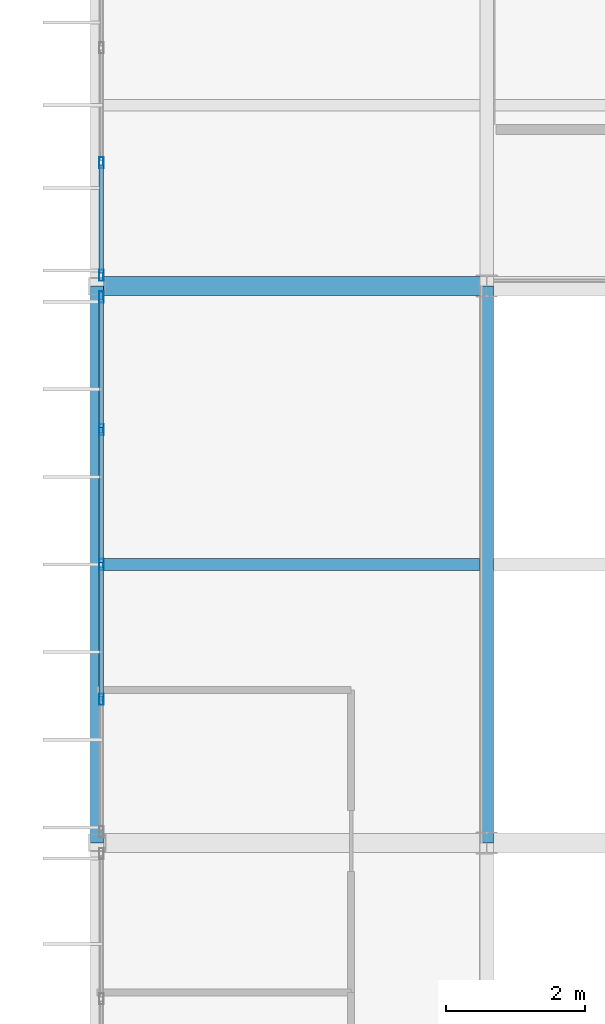
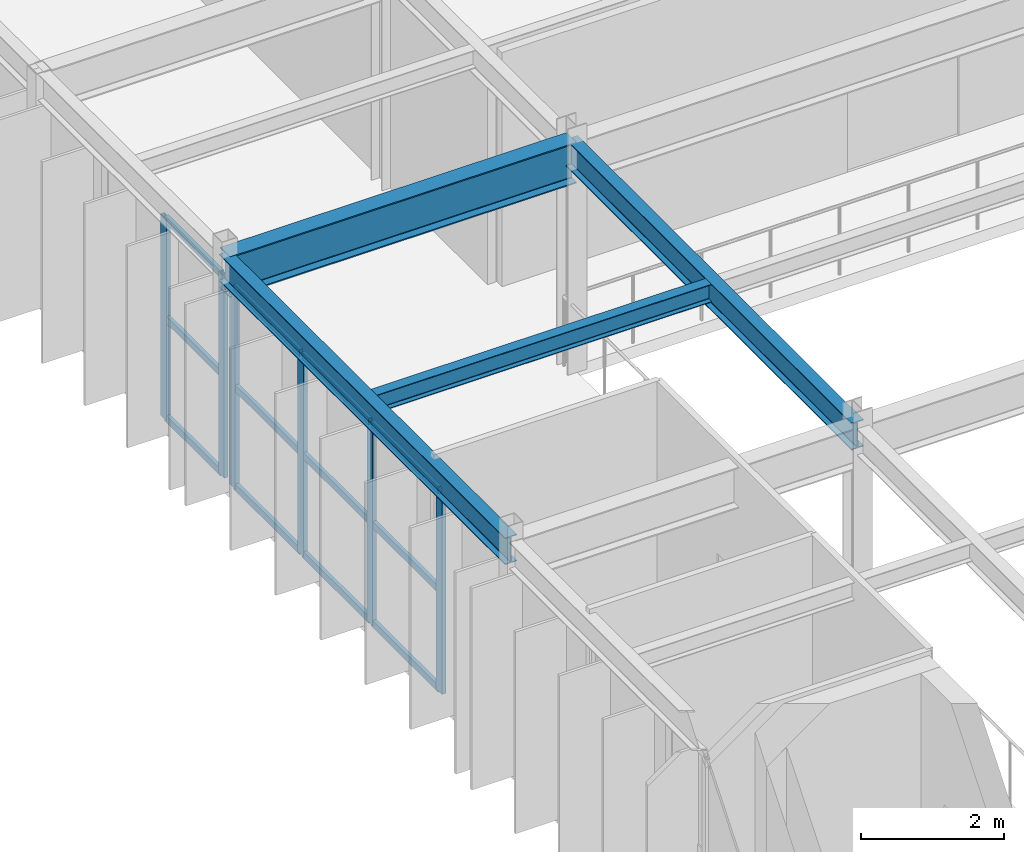
# One storey, part 44 of 157: 18 members, 4 beams, 2 elements without a shape of their own.
"""IFC4 building model written with IfcOpenShell, lengths in metres."""

from ifc_helpers import new_model, si_unit, direction, frame, origin, origin_2d, place, context, subcontext, project, spatial, hollow_rectangle, i_section, extrude, material, material_profile, profile_set, type_object, element, aggregate, save


model = new_model("IFC4")

# Units and contexts
model_context = context("Model", 3, precision=1e-05, world=origin(), true_north=direction((0.0, 1.0)))
body_context = subcontext(model_context, "Body", "Model", "MODEL_VIEW")
ifc_project = project(units=[si_unit("LENGTHUNIT", "METRE"), si_unit("AREAUNIT", "SQUARE_METRE"), si_unit("VOLUMEUNIT", "CUBIC_METRE"), si_unit("PLANEANGLEUNIT", "RADIAN"), si_unit("MASSUNIT", "GRAM", prefix="KILO")], contexts=[model_context])

# Site, building, storey
site_placement = place(None, origin())
site = spatial("IfcSite", under=ifc_project, at=site_placement, CompositionType="ELEMENT")
building_placement = place(site_placement, origin())
building = spatial("IfcBuilding", under=site, at=building_placement, Name="Karori Crest Natural Sciences Institute", CompositionType="ELEMENT")
storey_placement = place(building_placement, frame((0.0, 0.0, 13.300048828125)))
storey = spatial("IfcBuildingStorey", under=building, at=storey_placement, Name="L03", CompositionType="ELEMENT", Elevation=13.300048828125)

# Beams
ifc_material_1 = material(Name="Structural steel AS/NZS 3679.1 Grade 350", Category="steel")
ifc_material_profile_1 = material_profile(ifc_material_1, i_section(OverallWidth=0.27490234375, OverallDepth=0.699951171875, WebThickness=0.010009765625, FlangeThickness=0.02001953125, FilletRadius=0.013916015625, at=origin_2d()), Name="700WB150")
ifc_profile_set_1 = profile_set([ifc_material_profile_1], Name="Structural steel AS/NZS 3679.1 Grade 350")
beam_type_1 = type_object("IfcBeamType", Name="BT-03", PredefinedType="BEAM", material=ifc_profile_set_1)
beam_1_placement = place(storey_placement, frame((1.800048828125, 55.0, 3.570068359375), z_axis=(1.0, 0.0, 0.0), x_axis=(0.0, 1.0, 0.0)))
element("IfcBeam", 1, at=beam_1_placement, inside=storey, type_object=beam_type_1, Name="Beam B-1149", PredefinedType="BEAM", context=body_context, shape_type="SweptSolid", body=[
    extrude(i_section(OverallWidth=0.27490234375, OverallDepth=0.699951171875, WebThickness=0.010009765625, FlangeThickness=0.02001953125, FilletRadius=0.013916015625, at=origin_2d()), origin(), (0.0, 0.0, 1.0), 5.599853515625),
])
ifc_material_profile_2 = material_profile(ifc_material_1, i_section(OverallWidth=0.19091796875, OverallDepth=0.4599609375, WebThickness=0.010009765625, FlangeThickness=0.01611328125, FilletRadius=0.010986328125, at=origin_2d()), Name="460UB82.1")
ifc_profile_set_2 = profile_set([ifc_material_profile_2], Name="Structural steel AS/NZS 3679.1 Grade 350")
beam_type_2 = type_object("IfcBeamType", Name="BT-06", PredefinedType="BEAM", material=ifc_profile_set_2)
beam_2_placement = place(storey_placement, frame((7.39990234375, 47.0, 3.68994140625), z_axis=(0.0, 1.0, 0.0), x_axis=(-1.0, 0.0, 0.0)))
element("IfcBeam", 2, at=beam_2_placement, inside=storey, type_object=beam_type_2, Name="Beam B-1171", PredefinedType="BEAM", context=body_context, shape_type="SweptSolid", body=[
    extrude(i_section(OverallWidth=0.19091796875, OverallDepth=0.4599609375, WebThickness=0.010009765625, FlangeThickness=0.01611328125, FilletRadius=0.010986328125, at=origin_2d()), origin(), (0.0, 0.0, 1.0), 8.0),
])
ifc_material_profile_3 = material_profile(ifc_material_1, i_section(OverallWidth=0.19091796875, OverallDepth=0.4599609375, WebThickness=0.010009765625, FlangeThickness=0.01611328125, FilletRadius=0.010986328125, at=origin_2d()), Name="460UB82.1")
ifc_profile_set_3 = profile_set([ifc_material_profile_3], Name="Structural steel AS/NZS 3679.1 Grade 350")
beam_type_3 = type_object("IfcBeamType", Name="BT-06-EL", PredefinedType="BEAM", material=ifc_profile_set_3)
beam_3_placement = place(storey_placement, frame((1.800048828125, 47.0, 3.68994140625), z_axis=(0.0, 1.0, 0.0), x_axis=(-1.0, 0.0, 0.0)))
element("IfcBeam", 3, at=beam_3_placement, inside=storey, type_object=beam_type_3, Name="Beam B-1164", PredefinedType="BEAM", context=body_context, shape_type="SweptSolid", body=[
    extrude(i_section(OverallWidth=0.19091796875, OverallDepth=0.4599609375, WebThickness=0.010009765625, FlangeThickness=0.01611328125, FilletRadius=0.010986328125, at=origin_2d()), origin(), (0.0, 0.0, 1.0), 8.0),
])
ifc_material_profile_4 = material_profile(ifc_material_1, i_section(OverallWidth=0.166015625, OverallDepth=0.306884765625, WebThickness=0.006591796875, FlangeThickness=0.01171875, FilletRadius=0.010986328125, at=origin_2d()), Name="310UB46.2")
ifc_profile_set_4 = profile_set([ifc_material_profile_4], Name="Structural steel AS/NZS 3679.1 Grade 350")
beam_type_4 = type_object("IfcBeamType", Name="BT-09", PredefinedType="BEAM", material=ifc_profile_set_4)
beam_4_placement = place(storey_placement, frame((1.8955078125, 51.0, 3.766357421875), z_axis=(1.0, 0.0, 0.0), x_axis=(0.0, 1.0, 0.0)))
element("IfcBeam", 4, at=beam_4_placement, inside=storey, type_object=beam_type_4, Name="Beam B-1190", PredefinedType="BEAM", context=body_context, shape_type="SweptSolid", body=[
    extrude(i_section(OverallWidth=0.166015625, OverallDepth=0.306884765625, WebThickness=0.006591796875, FlangeThickness=0.01171875, FilletRadius=0.010986328125, at=origin_2d()), origin(), (0.0, 0.0, 1.0), 5.408935546875),
])

# Curtain wall, members
ifc_material_2 = material(Name="Anodised architectural aluminium 6063-T6", Category="aluminium")
curtain_wall_type = type_object("IfcCurtainWallType", Name="CWT-17", PredefinedType="NOTDEFINED", material=ifc_material_2)
curtain_wall_1_placement = place(storey_placement, origin())
curtain_wall_1 = element("IfcCurtainWall", 5, at=curtain_wall_1_placement, inside=storey, type_object=curtain_wall_type, Name="Curtain wall CW-0279", PredefinedType="NOTDEFINED")
ifc_material_profile_5 = material_profile(ifc_material_2, hollow_rectangle(XDim=0.06494140625, YDim=0.159912109375, WallThickness=0.00390625, at=origin_2d()), Name="CWM160x65x4")
ifc_profile_set_5 = profile_set([ifc_material_profile_5], Name="Anodised architectural aluminium 6063-T6")
member_type_1 = type_object("IfcMemberType", Name="CWM-01", PredefinedType="MULLION", material=ifc_profile_set_5)
member_1_placement = place(storey_placement, frame((1.860107421875, 49.0615234375, 0.0), z_axis=(0.0, 0.0, 1.0), x_axis=(-1.0, 0.0, 0.0)))
member_1 = element("IfcMember", 6, at=member_1_placement, type_object=member_type_1, Name="CW-0279 mullion 2", PredefinedType="MULLION", context=body_context, shape_type="SweptSolid", body=[
    extrude(hollow_rectangle(XDim=0.06494140625, YDim=0.159912109375, WallThickness=0.00390625, at=origin_2d()), origin(), (0.0, 0.0, 1.0), 3.445068359375),
])
member_2_placement = place(storey_placement, frame((1.860107421875, 51.0, 0.0), z_axis=(0.0, 0.0, 1.0), x_axis=(-1.0, 0.0, 0.0)))
member_2 = element("IfcMember", 7, at=member_2_placement, type_object=member_type_1, Name="CW-0279 mullion 3", PredefinedType="MULLION", context=body_context, shape_type="SweptSolid", body=[
    extrude(hollow_rectangle(XDim=0.06494140625, YDim=0.159912109375, WallThickness=0.00390625, at=origin_2d()), origin(), (0.0, 0.0, 1.0), 3.445068359375),
])
member_3_placement = place(storey_placement, frame((1.860107421875, 52.9384765625, 0.0), z_axis=(0.0, 0.0, 1.0), x_axis=(-1.0, 0.0, 0.0)))
member_3 = element("IfcMember", 8, at=member_3_placement, type_object=member_type_1, Name="CW-0279 mullion 4", PredefinedType="MULLION", context=body_context, shape_type="SweptSolid", body=[
    extrude(hollow_rectangle(XDim=0.06494140625, YDim=0.159912109375, WallThickness=0.00390625, at=origin_2d()), origin(), (0.0, 0.0, 1.0), 3.445068359375),
])
member_4_placement = place(storey_placement, frame((1.860107421875, 54.844482421875, 0.0), z_axis=(0.0, 0.0, 1.0), x_axis=(-1.0, 0.0, 0.0)))
member_4 = element("IfcMember", 9, at=member_4_placement, type_object=member_type_1, Name="CW-0279 mullion 5", PredefinedType="MULLION", context=body_context, shape_type="SweptSolid", body=[
    extrude(hollow_rectangle(XDim=0.06494140625, YDim=0.159912109375, WallThickness=0.00390625, at=origin_2d()), origin(), (0.0, 0.0, 1.0), 3.445068359375),
])

curtain_wall_2_placement = place(storey_placement, origin())
curtain_wall_2 = element("IfcCurtainWall", 10, at=curtain_wall_2_placement, inside=storey, type_object=curtain_wall_type, Name="Curtain wall CW-0280", PredefinedType="NOTDEFINED")
member_5_placement = place(storey_placement, frame((1.860107421875, 55.155517578125, 0.0), z_axis=(0.0, 0.0, 1.0), x_axis=(-1.0, 0.0, 0.0)))
member_5 = element("IfcMember", 11, at=member_5_placement, type_object=member_type_1, Name="CW-0280 mullion 1", PredefinedType="MULLION", context=body_context, shape_type="SweptSolid", body=[
    extrude(hollow_rectangle(XDim=0.06494140625, YDim=0.159912109375, WallThickness=0.00390625, at=origin_2d()), origin(), (0.0, 0.0, 1.0), 3.445068359375),
])
member_6_placement = place(storey_placement, frame((1.860107421875, 56.7744140625, 0.0), z_axis=(0.0, 0.0, 1.0), x_axis=(-1.0, 0.0, 0.0)))
member_6 = element("IfcMember", 12, at=member_6_placement, type_object=member_type_1, Name="CW-0280 mullion 2", PredefinedType="MULLION", context=body_context, shape_type="SweptSolid", body=[
    extrude(hollow_rectangle(XDim=0.06494140625, YDim=0.159912109375, WallThickness=0.00390625, at=origin_2d()), origin(), (0.0, 0.0, 1.0), 3.445068359375),
])

# Member
ifc_material_profile_6 = material_profile(ifc_material_2, hollow_rectangle(XDim=0.06005859375, YDim=0.1201171875, WallThickness=0.00390625, at=origin_2d()), Name="CWT120x60x4")
ifc_profile_set_6 = profile_set([ifc_material_profile_6], Name="Anodised architectural aluminium 6063-T6")
member_type_2 = type_object("IfcMemberType", Name="CWT-TR1", PredefinedType="USERDEFINED", material=ifc_profile_set_6)
member_7_placement = place(storey_placement, frame((1.860107421875, 49.093994140625, 0.030029296875), z_axis=(0.0, 1.0, 0.0), x_axis=(-1.0, 0.0, 0.0)))
member_7 = element("IfcMember", 13, at=member_7_placement, type_object=member_type_2, Name="CW-0279 transom 2.1", ObjectType="TRANSOM", PredefinedType="USERDEFINED", context=body_context, shape_type="SweptSolid", body=[
    extrude(hollow_rectangle(XDim=0.06005859375, YDim=0.1201171875, WallThickness=0.00390625, at=origin_2d()), origin(), (0.0, 0.0, 1.0), 1.87353515625),
])

member_8_placement = place(storey_placement, frame((1.860107421875, 49.093994140625, 1.722412109375), z_axis=(0.0, 1.0, 0.0), x_axis=(-1.0, 0.0, 0.0)))
member_8 = element("IfcMember", 14, at=member_8_placement, type_object=member_type_2, Name="CW-0279 transom 2.2", ObjectType="TRANSOM", PredefinedType="USERDEFINED", context=body_context, shape_type="SweptSolid", body=[
    extrude(hollow_rectangle(XDim=0.06005859375, YDim=0.1201171875, WallThickness=0.00390625, at=origin_2d()), origin(), (0.0, 0.0, 1.0), 1.87353515625),
])

member_9_placement = place(storey_placement, frame((1.860107421875, 49.093994140625, 3.4150390625), z_axis=(0.0, 1.0, 0.0), x_axis=(-1.0, 0.0, 0.0)))
member_9 = element("IfcMember", 15, at=member_9_placement, type_object=member_type_2, Name="CW-0279 transom 2.3", ObjectType="TRANSOM", PredefinedType="USERDEFINED", context=body_context, shape_type="SweptSolid", body=[
    extrude(hollow_rectangle(XDim=0.06005859375, YDim=0.1201171875, WallThickness=0.00390625, at=origin_2d()), origin(), (0.0, 0.0, 1.0), 1.87353515625),
])

member_10_placement = place(storey_placement, frame((1.860107421875, 51.032470703125, 0.030029296875), z_axis=(0.0, 1.0, 0.0), x_axis=(-1.0, 0.0, 0.0)))
member_10 = element("IfcMember", 16, at=member_10_placement, type_object=member_type_2, Name="CW-0279 transom 3.1", ObjectType="TRANSOM", PredefinedType="USERDEFINED", context=body_context, shape_type="SweptSolid", body=[
    extrude(hollow_rectangle(XDim=0.06005859375, YDim=0.1201171875, WallThickness=0.00390625, at=origin_2d()), origin(), (0.0, 0.0, 1.0), 1.87353515625),
])

member_11_placement = place(storey_placement, frame((1.860107421875, 51.032470703125, 1.722412109375), z_axis=(0.0, 1.0, 0.0), x_axis=(-1.0, 0.0, 0.0)))
member_11 = element("IfcMember", 17, at=member_11_placement, type_object=member_type_2, Name="CW-0279 transom 3.2", ObjectType="TRANSOM", PredefinedType="USERDEFINED", context=body_context, shape_type="SweptSolid", body=[
    extrude(hollow_rectangle(XDim=0.06005859375, YDim=0.1201171875, WallThickness=0.00390625, at=origin_2d()), origin(), (0.0, 0.0, 1.0), 1.87353515625),
])

member_12_placement = place(storey_placement, frame((1.860107421875, 51.032470703125, 3.4150390625), z_axis=(0.0, 1.0, 0.0), x_axis=(-1.0, 0.0, 0.0)))
member_12 = element("IfcMember", 18, at=member_12_placement, type_object=member_type_2, Name="CW-0279 transom 3.3", ObjectType="TRANSOM", PredefinedType="USERDEFINED", context=body_context, shape_type="SweptSolid", body=[
    extrude(hollow_rectangle(XDim=0.06005859375, YDim=0.1201171875, WallThickness=0.00390625, at=origin_2d()), origin(), (0.0, 0.0, 1.0), 1.87353515625),
])

member_13_placement = place(storey_placement, frame((1.860107421875, 52.970947265625, 0.030029296875), z_axis=(0.0, 1.0, 0.0), x_axis=(-1.0, 0.0, 0.0)))
member_13 = element("IfcMember", 19, at=member_13_placement, type_object=member_type_2, Name="CW-0279 transom 4.1", ObjectType="TRANSOM", PredefinedType="USERDEFINED", context=body_context, shape_type="SweptSolid", body=[
    extrude(hollow_rectangle(XDim=0.06005859375, YDim=0.1201171875, WallThickness=0.00390625, at=origin_2d()), origin(), (0.0, 0.0, 1.0), 1.841064453125),
])

member_14_placement = place(storey_placement, frame((1.860107421875, 52.970947265625, 1.722412109375), z_axis=(0.0, 1.0, 0.0), x_axis=(-1.0, 0.0, 0.0)))
member_14 = element("IfcMember", 20, at=member_14_placement, type_object=member_type_2, Name="CW-0279 transom 4.2", ObjectType="TRANSOM", PredefinedType="USERDEFINED", context=body_context, shape_type="SweptSolid", body=[
    extrude(hollow_rectangle(XDim=0.06005859375, YDim=0.1201171875, WallThickness=0.00390625, at=origin_2d()), origin(), (0.0, 0.0, 1.0), 1.841064453125),
])

member_15_placement = place(storey_placement, frame((1.860107421875, 52.970947265625, 3.4150390625), z_axis=(0.0, 1.0, 0.0), x_axis=(-1.0, 0.0, 0.0)))
member_15 = element("IfcMember", 21, at=member_15_placement, type_object=member_type_2, Name="CW-0279 transom 4.3", ObjectType="TRANSOM", PredefinedType="USERDEFINED", context=body_context, shape_type="SweptSolid", body=[
    extrude(hollow_rectangle(XDim=0.06005859375, YDim=0.1201171875, WallThickness=0.00390625, at=origin_2d()), origin(), (0.0, 0.0, 1.0), 1.841064453125),
])

aggregate(curtain_wall_1, [member_1, member_2, member_3, member_4, member_7, member_8, member_9, member_10, member_11, member_12, member_13, member_14, member_15])

member_16_placement = place(storey_placement, frame((1.860107421875, 55.18798828125, 0.030029296875), z_axis=(0.0, 1.0, 0.0), x_axis=(-1.0, 0.0, 0.0)))
member_16 = element("IfcMember", 22, at=member_16_placement, type_object=member_type_2, Name="CW-0280 transom 1.1", ObjectType="TRANSOM", PredefinedType="USERDEFINED", context=body_context, shape_type="SweptSolid", body=[
    extrude(hollow_rectangle(XDim=0.06005859375, YDim=0.1201171875, WallThickness=0.00390625, at=origin_2d()), origin(), (0.0, 0.0, 1.0), 1.553955078125),
])

member_17_placement = place(storey_placement, frame((1.860107421875, 55.18798828125, 1.722412109375), z_axis=(0.0, 1.0, 0.0), x_axis=(-1.0, 0.0, 0.0)))
member_17 = element("IfcMember", 23, at=member_17_placement, type_object=member_type_2, Name="CW-0280 transom 1.2", ObjectType="TRANSOM", PredefinedType="USERDEFINED", context=body_context, shape_type="SweptSolid", body=[
    extrude(hollow_rectangle(XDim=0.06005859375, YDim=0.1201171875, WallThickness=0.00390625, at=origin_2d()), origin(), (0.0, 0.0, 1.0), 1.553955078125),
])

member_18_placement = place(storey_placement, frame((1.860107421875, 55.18798828125, 3.4150390625), z_axis=(0.0, 1.0, 0.0), x_axis=(-1.0, 0.0, 0.0)))
member_18 = element("IfcMember", 24, at=member_18_placement, type_object=member_type_2, Name="CW-0280 transom 1.3", ObjectType="TRANSOM", PredefinedType="USERDEFINED", context=body_context, shape_type="SweptSolid", body=[
    extrude(hollow_rectangle(XDim=0.06005859375, YDim=0.1201171875, WallThickness=0.00390625, at=origin_2d()), origin(), (0.0, 0.0, 1.0), 1.553955078125),
])

aggregate(curtain_wall_2, [member_5, member_6, member_16, member_17, member_18])

save(model, "model.ifc")
